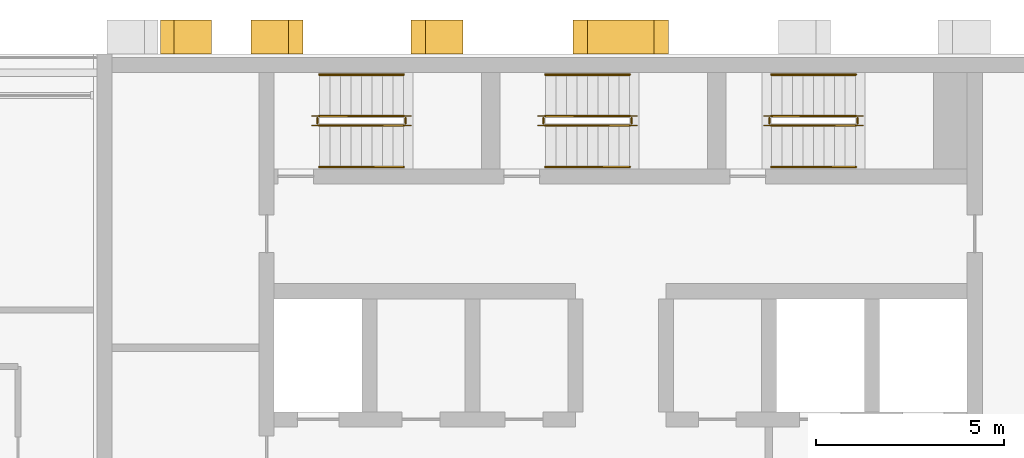
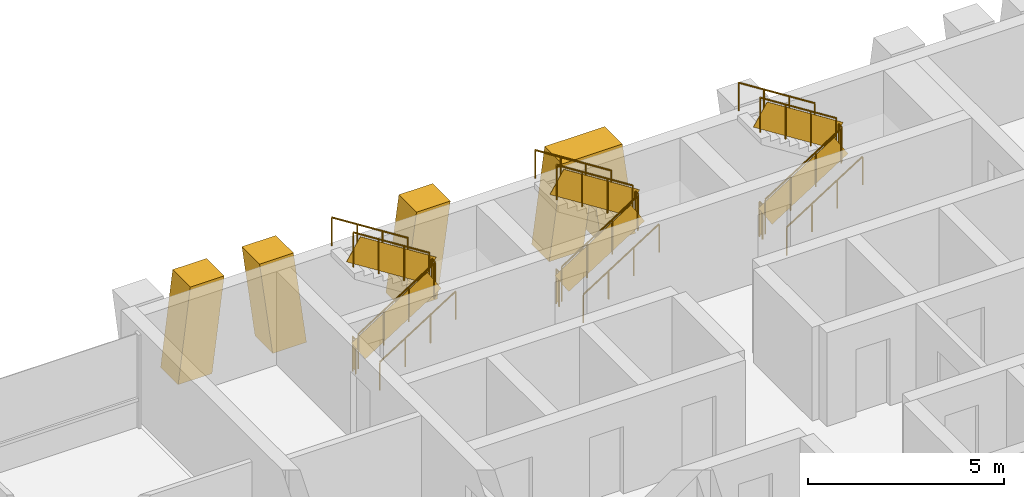
# One storey, part 15 of 16: 18 railings, 4 shading devices.
"""IFC4 building model written with IfcOpenShell, lengths in metres."""

from ifc_helpers import new_model, si_unit, direction, frame, origin, origin_2d, place, context, subcontext, project, spatial, polyline, rectangle, circle, outline, extrude, material, layer, layer_set, type_object, element, save


model = new_model("IFC4")

# Units and contexts
model_context = context("Model", 3, precision=1e-05, world=origin(), true_north=direction((0.0, 1.0)))
body_context = subcontext(model_context, "Body", "Model", "MODEL_VIEW")
ifc_project = project(units=[si_unit("LENGTHUNIT", "METRE"), si_unit("AREAUNIT", "SQUARE_METRE"), si_unit("VOLUMEUNIT", "CUBIC_METRE"), si_unit("PLANEANGLEUNIT", "RADIAN"), si_unit("MASSUNIT", "GRAM", prefix="KILO")], contexts=[model_context])

# Site, building, storey
site_placement = place(None, origin())
site = spatial("IfcSite", under=ifc_project, at=site_placement, CompositionType="ELEMENT")
building_placement = place(site_placement, origin())
building = spatial("IfcBuilding", under=site, at=building_placement, Name="Vidyagriha Tower", CompositionType="ELEMENT")
storey_placement = place(building_placement, frame((0.0, 0.0, 181.300048828125)))
storey = spatial("IfcBuildingStorey", under=building, at=storey_placement, Name="L47", CompositionType="ELEMENT", Elevation=181.300048828125)

# Shading devices
ifc_material_1 = material(Name="Precast concrete C40/50 with brick facing", Category="concrete")
ifc_layer_1 = layer(ifc_material_1, 1.0)
ifc_layer_set_1 = layer_set([ifc_layer_1], Name="Precast concrete C40/50 with brick facing")
shading_device_type_1 = type_object("IfcShadingDeviceType", Name="Brick-faced rear rib arm leaning 8 degrees", PredefinedType="USERDEFINED", material=ifc_layer_set_1)
shading_device_1_placement = place(storey_placement, frame((-8.4287109375, 20.449951171875, 0.0), z_axis=(0.0, 0.0, 1.0), x_axis=(-1.0, 0.0, 0.0)))
element("IfcShadingDevice", 1, at=shading_device_1_placement, inside=storey, type_object=shading_device_type_1, Name="Rear rib arm L47 R08.4a", ObjectType="BLADE FIN", PredefinedType="USERDEFINED", context=body_context, shape_type="SweptSolid", body=[
    extrude(outline(polyline([(0.0, 0.0), (1.0, 0.0), (1.3857421875, 2.919921875), (0.3857421875, 2.919921875), (0.0, 0.0)])), frame((0.0, 0.449951171875, 0.0), z_axis=(0.0, -1.0, 0.0), x_axis=(1.0, 0.0, 0.0)), (0.0, 0.0, 1.0), 0.89990234375),
])
shading_device_2_placement = place(storey_placement, frame((-4.185791015625, 20.449951171875, 0.0), z_axis=(0.0, 0.0, 1.0), x_axis=(-1.0, 0.0, 0.0)))
element("IfcShadingDevice", 2, at=shading_device_2_placement, inside=storey, type_object=shading_device_type_1, Name="Rear rib arm L47 R08.4b", ObjectType="BLADE FIN", PredefinedType="USERDEFINED", context=body_context, shape_type="SweptSolid", body=[
    extrude(outline(polyline([(0.3857421875, 0.0), (1.3857421875, 0.0), (1.0, 2.919921875), (0.0, 2.919921875), (0.3857421875, 0.0)])), frame((0.0, 0.449951171875, 0.0), z_axis=(0.0, -1.0, 0.0), x_axis=(1.0, 0.0, 0.0)), (0.0, 0.0, 1.0), 0.89990234375),
])
shading_device_3_placement = place(storey_placement, frame((-10.857177734375, 20.449951171875, 0.0), z_axis=(0.0, 0.0, 1.0), x_axis=(-1.0, 0.0, 0.0)))
element("IfcShadingDevice", 3, at=shading_device_3_placement, inside=storey, type_object=shading_device_type_1, Name="Rear rib arm L47 R08.5b", ObjectType="BLADE FIN", PredefinedType="USERDEFINED", context=body_context, shape_type="SweptSolid", body=[
    extrude(outline(polyline([(0.357177734375, 0.0), (1.357177734375, 0.0), (1.0, 2.919921875), (0.0, 2.919921875), (0.357177734375, 0.0)])), frame((0.0, 0.449951171875, 0.0), z_axis=(0.0, -1.0, 0.0), x_axis=(1.0, 0.0, 0.0)), (0.0, 0.0, 1.0), 0.89990234375),
])
ifc_material_2 = material(Name="Precast concrete C40/50 with brick facing", Category="concrete")
ifc_layer_2 = layer(ifc_material_2, 1.0)
ifc_layer_set_2 = layer_set([ifc_layer_2], Name="Precast concrete C40/50 with brick facing")
shading_device_type_2 = type_object("IfcShadingDeviceType", Name="Brick-faced rear rib forking 8 degrees", PredefinedType="USERDEFINED", material=ifc_layer_set_2)
shading_device_4_placement = place(storey_placement, frame((1.271484375, 20.449951171875, 0.0), z_axis=(0.0, 0.0, 1.0), x_axis=(-1.0, 0.0, 0.0)))
element("IfcShadingDevice", 4, at=shading_device_4_placement, inside=storey, type_object=shading_device_type_2, Name="Rear rib fork L47 R08.3a", ObjectType="BLADE FIN", PredefinedType="USERDEFINED", context=body_context, shape_type="SweptSolid", body=[
    extrude(outline(polyline([(1.0, 0.0), (1.271484375, 2.0546875), (1.542724609375, 0.0), (2.542724609375, 0.0), (2.156982421875, 2.919921875), (0.3857421875, 2.919921875), (0.0, 0.0), (1.0, 0.0)])), frame((0.0, 0.449951171875, 0.0), z_axis=(0.0, -1.0, 0.0), x_axis=(1.0, 0.0, 0.0)), (0.0, 0.0, 1.0), 0.89990234375),
])

# Railings
ifc_material_3 = material(Name="Steel ASTM A500 Grade C", Category="steel")
railing_type_1 = type_object("IfcRailingType", Name="Stair guard 1100 mm, steel balustrade", PredefinedType="GUARDRAIL", material=ifc_material_3)
railing_1_placement = place(storey_placement, frame((-8.0, 18.10009765625, 0.177734375)))
element("IfcRailing", 5, at=railing_1_placement, inside=storey, type_object=railing_type_1, Name="L47 ST1 stair guard 1", PredefinedType="GUARDRAIL", context=body_context, shape_type="SweptSolid", body=[
    extrude(circle(Radius=0.02392578125, at=origin_2d()), frame((0.0, 0.0, 1.076171875), z_axis=(0.8442293374, 0.0, 0.53598211339), x_axis=(0.0, 1.0, 0.0)), (0.0, 0.0, 1.0), 2.6533203125),
    extrude(circle(Radius=0.02099609375, at=origin_2d()), origin(), (0.0, 0.0, 1.0), 1.052001953125),
    extrude(circle(Radius=0.02099609375, at=origin_2d()), frame((0.74658203125, 0.0, 0.47412109375)), (0.0, 0.0, 1.0), 1.052001953125),
    extrude(circle(Radius=0.02099609375, at=origin_2d()), frame((1.493408203125, 0.0, 0.947998046875)), (0.0, 0.0, 1.0), 1.052001953125),
    extrude(circle(Radius=0.02099609375, at=origin_2d()), frame((2.239990234375, 0.0, 1.422119140625)), (0.0, 0.0, 1.0), 1.052001953125),
    extrude(rectangle(XDim=0.010009765625, YDim=0.761474609375, at=origin_2d()), frame((0.0, 0.0, 0.551025390625), z_axis=(0.8442293374, 0.0, 0.53598211339), x_axis=(0.0, 1.0, 0.0)), (0.0, 0.0, 1.0), 2.6533203125),
])
railing_2_placement = place(storey_placement, frame((-5.7099609375, 18.14990234375, 1.599853515625)))
element("IfcRailing", 6, at=railing_2_placement, inside=storey, type_object=railing_type_1, Name="L47 ST1 stair guard 2", PredefinedType="GUARDRAIL", context=body_context, shape_type="SweptSolid", body=[
    extrude(circle(Radius=0.02392578125, at=origin_2d()), frame((0.0, 0.0, 1.076171875), z_axis=(0.0, 1.0, 0.0), x_axis=(-1.0, 0.0, 0.0)), (0.0, 0.0, 1.0), 0.150146484375),
    extrude(circle(Radius=0.02099609375, at=origin_2d()), origin(), (0.0, 0.0, 1.0), 1.052001953125),
    extrude(circle(Radius=0.02099609375, at=origin_2d()), frame((0.0, 0.150146484375, 0.0)), (0.0, 0.0, 1.0), 1.052001953125),
    extrude(rectangle(XDim=0.010009765625, YDim=0.902099609375, at=origin_2d()), frame((0.0, 0.0, 0.551025390625), z_axis=(0.0, 1.0, 0.0), x_axis=(-1.0, 0.0, 0.0)), (0.0, 0.0, 1.0), 0.150146484375),
])
railing_3_placement = place(storey_placement, frame((-5.760009765625, 18.35009765625, 1.77783203125)))
element("IfcRailing", 7, at=railing_3_placement, inside=storey, type_object=railing_type_1, Name="L47 ST1 stair guard 3", PredefinedType="GUARDRAIL", context=body_context, shape_type="SweptSolid", body=[
    extrude(circle(Radius=0.02392578125, at=origin_2d()), frame((0.0, 0.0, 1.076171875), z_axis=(-0.8442293374, 0.0, 0.53598211339), x_axis=(0.0, -1.0, 0.0)), (0.0, 0.0, 1.0), 2.6533203125),
    extrude(circle(Radius=0.02099609375, at=origin_2d()), origin(), (0.0, 0.0, 1.0), 1.052001953125),
    extrude(circle(Radius=0.02099609375, at=origin_2d()), frame((-0.74658203125, 0.0, 0.47412109375)), (0.0, 0.0, 1.0), 1.052001953125),
    extrude(circle(Radius=0.02099609375, at=origin_2d()), frame((-1.493408203125, 0.0, 0.947998046875)), (0.0, 0.0, 1.0), 1.052001953125),
    extrude(circle(Radius=0.02099609375, at=origin_2d()), frame((-2.239990234375, 0.0, 1.422119140625)), (0.0, 0.0, 1.0), 1.052001953125),
    extrude(rectangle(XDim=0.010009765625, YDim=0.761474609375, at=origin_2d()), frame((0.0, 0.0, 0.551025390625), z_axis=(-0.8442293374, 0.0, 0.53598211339), x_axis=(0.0, -1.0, 0.0)), (0.0, 0.0, 1.0), 2.6533203125),
])
railing_4_placement = place(storey_placement, frame((-8.050048828125, 18.14990234375, 0.0)))
element("IfcRailing", 8, at=railing_4_placement, inside=storey, type_object=railing_type_1, Name="L47 ST1 stair guard 4", PredefinedType="GUARDRAIL", context=body_context, shape_type="SweptSolid", body=[
    extrude(circle(Radius=0.02392578125, at=origin_2d()), frame((0.0, 0.0, 1.076171875), z_axis=(0.0, 1.0, 0.0), x_axis=(-1.0, 0.0, 0.0)), (0.0, 0.0, 1.0), 0.150146484375),
    extrude(circle(Radius=0.02099609375, at=origin_2d()), origin(), (0.0, 0.0, 1.0), 1.052001953125),
    extrude(circle(Radius=0.02099609375, at=origin_2d()), frame((0.0, 0.150146484375, 0.0)), (0.0, 0.0, 1.0), 1.052001953125),
    extrude(rectangle(XDim=0.010009765625, YDim=0.902099609375, at=origin_2d()), frame((0.0, 0.0, 0.551025390625), z_axis=(0.0, 1.0, 0.0), x_axis=(-1.0, 0.0, 0.0)), (0.0, 0.0, 1.0), 0.150146484375),
])
railing_5_placement = place(storey_placement, frame((-2.0, 18.10009765625, 0.177734375)))
element("IfcRailing", 9, at=railing_5_placement, inside=storey, type_object=railing_type_1, Name="L47 ST2 stair guard 1", PredefinedType="GUARDRAIL", context=body_context, shape_type="SweptSolid", body=[
    extrude(circle(Radius=0.02392578125, at=origin_2d()), frame((0.0, 0.0, 1.076171875), z_axis=(0.8442293374, 0.0, 0.53598211339), x_axis=(0.0, 1.0, 0.0)), (0.0, 0.0, 1.0), 2.6533203125),
    extrude(circle(Radius=0.02099609375, at=origin_2d()), origin(), (0.0, 0.0, 1.0), 1.052001953125),
    extrude(circle(Radius=0.02099609375, at=origin_2d()), frame((0.74658203125, 0.0, 0.47412109375)), (0.0, 0.0, 1.0), 1.052001953125),
    extrude(circle(Radius=0.02099609375, at=origin_2d()), frame((1.493408203125, 0.0, 0.947998046875)), (0.0, 0.0, 1.0), 1.052001953125),
    extrude(circle(Radius=0.02099609375, at=origin_2d()), frame((2.239990234375, 0.0, 1.422119140625)), (0.0, 0.0, 1.0), 1.052001953125),
    extrude(rectangle(XDim=0.010009765625, YDim=0.761474609375, at=origin_2d()), frame((0.0, 0.0, 0.551025390625), z_axis=(0.8442293374, 0.0, 0.53598211339), x_axis=(0.0, 1.0, 0.0)), (0.0, 0.0, 1.0), 2.6533203125),
])
railing_6_placement = place(storey_placement, frame((0.2900390625, 18.14990234375, 1.599853515625)))
element("IfcRailing", 10, at=railing_6_placement, inside=storey, type_object=railing_type_1, Name="L47 ST2 stair guard 2", PredefinedType="GUARDRAIL", context=body_context, shape_type="SweptSolid", body=[
    extrude(circle(Radius=0.02392578125, at=origin_2d()), frame((0.0, 0.0, 1.076171875), z_axis=(0.0, 1.0, 0.0), x_axis=(-1.0, 0.0, 0.0)), (0.0, 0.0, 1.0), 0.150146484375),
    extrude(circle(Radius=0.02099609375, at=origin_2d()), origin(), (0.0, 0.0, 1.0), 1.052001953125),
    extrude(circle(Radius=0.02099609375, at=origin_2d()), frame((0.0, 0.150146484375, 0.0)), (0.0, 0.0, 1.0), 1.052001953125),
    extrude(rectangle(XDim=0.010009765625, YDim=0.902099609375, at=origin_2d()), frame((0.0, 0.0, 0.551025390625), z_axis=(0.0, 1.0, 0.0), x_axis=(-1.0, 0.0, 0.0)), (0.0, 0.0, 1.0), 0.150146484375),
])
railing_7_placement = place(storey_placement, frame((0.239990234375, 18.35009765625, 1.77783203125)))
element("IfcRailing", 11, at=railing_7_placement, inside=storey, type_object=railing_type_1, Name="L47 ST2 stair guard 3", PredefinedType="GUARDRAIL", context=body_context, shape_type="SweptSolid", body=[
    extrude(circle(Radius=0.02392578125, at=origin_2d()), frame((0.0, 0.0, 1.076171875), z_axis=(-0.8442293374, 0.0, 0.53598211339), x_axis=(0.0, -1.0, 0.0)), (0.0, 0.0, 1.0), 2.6533203125),
    extrude(circle(Radius=0.02099609375, at=origin_2d()), origin(), (0.0, 0.0, 1.0), 1.052001953125),
    extrude(circle(Radius=0.02099609375, at=origin_2d()), frame((-0.74658203125, 0.0, 0.47412109375)), (0.0, 0.0, 1.0), 1.052001953125),
    extrude(circle(Radius=0.02099609375, at=origin_2d()), frame((-1.493408203125, 0.0, 0.947998046875)), (0.0, 0.0, 1.0), 1.052001953125),
    extrude(circle(Radius=0.02099609375, at=origin_2d()), frame((-2.239990234375, 0.0, 1.422119140625)), (0.0, 0.0, 1.0), 1.052001953125),
    extrude(rectangle(XDim=0.010009765625, YDim=0.761474609375, at=origin_2d()), frame((0.0, 0.0, 0.551025390625), z_axis=(-0.8442293374, 0.0, 0.53598211339), x_axis=(0.0, -1.0, 0.0)), (0.0, 0.0, 1.0), 2.6533203125),
])
railing_8_placement = place(storey_placement, frame((-2.050048828125, 18.14990234375, 0.0)))
element("IfcRailing", 12, at=railing_8_placement, inside=storey, type_object=railing_type_1, Name="L47 ST2 stair guard 4", PredefinedType="GUARDRAIL", context=body_context, shape_type="SweptSolid", body=[
    extrude(circle(Radius=0.02392578125, at=origin_2d()), frame((0.0, 0.0, 1.076171875), z_axis=(0.0, 1.0, 0.0), x_axis=(-1.0, 0.0, 0.0)), (0.0, 0.0, 1.0), 0.150146484375),
    extrude(circle(Radius=0.02099609375, at=origin_2d()), origin(), (0.0, 0.0, 1.0), 1.052001953125),
    extrude(circle(Radius=0.02099609375, at=origin_2d()), frame((0.0, 0.150146484375, 0.0)), (0.0, 0.0, 1.0), 1.052001953125),
    extrude(rectangle(XDim=0.010009765625, YDim=0.902099609375, at=origin_2d()), frame((0.0, 0.0, 0.551025390625), z_axis=(0.0, 1.0, 0.0), x_axis=(-1.0, 0.0, 0.0)), (0.0, 0.0, 1.0), 0.150146484375),
])
railing_9_placement = place(storey_placement, frame((4.0, 18.10009765625, 0.177734375)))
element("IfcRailing", 13, at=railing_9_placement, inside=storey, type_object=railing_type_1, Name="L47 ST3 stair guard 1", PredefinedType="GUARDRAIL", context=body_context, shape_type="SweptSolid", body=[
    extrude(circle(Radius=0.02392578125, at=origin_2d()), frame((0.0, 0.0, 1.076171875), z_axis=(0.8442293374, 0.0, 0.53598211339), x_axis=(0.0, 1.0, 0.0)), (0.0, 0.0, 1.0), 2.6533203125),
    extrude(circle(Radius=0.02099609375, at=origin_2d()), origin(), (0.0, 0.0, 1.0), 1.052001953125),
    extrude(circle(Radius=0.02099609375, at=origin_2d()), frame((0.74658203125, 0.0, 0.47412109375)), (0.0, 0.0, 1.0), 1.052001953125),
    extrude(circle(Radius=0.02099609375, at=origin_2d()), frame((1.493408203125, 0.0, 0.947998046875)), (0.0, 0.0, 1.0), 1.052001953125),
    extrude(circle(Radius=0.02099609375, at=origin_2d()), frame((2.239990234375, 0.0, 1.422119140625)), (0.0, 0.0, 1.0), 1.052001953125),
    extrude(rectangle(XDim=0.010009765625, YDim=0.761474609375, at=origin_2d()), frame((0.0, 0.0, 0.551025390625), z_axis=(0.8442293374, 0.0, 0.53598211339), x_axis=(0.0, 1.0, 0.0)), (0.0, 0.0, 1.0), 2.6533203125),
])
railing_10_placement = place(storey_placement, frame((6.2900390625, 18.14990234375, 1.599853515625)))
element("IfcRailing", 14, at=railing_10_placement, inside=storey, type_object=railing_type_1, Name="L47 ST3 stair guard 2", PredefinedType="GUARDRAIL", context=body_context, shape_type="SweptSolid", body=[
    extrude(circle(Radius=0.02392578125, at=origin_2d()), frame((0.0, 0.0, 1.076171875), z_axis=(0.0, 1.0, 0.0), x_axis=(-1.0, 0.0, 0.0)), (0.0, 0.0, 1.0), 0.150146484375),
    extrude(circle(Radius=0.02099609375, at=origin_2d()), origin(), (0.0, 0.0, 1.0), 1.052001953125),
    extrude(circle(Radius=0.02099609375, at=origin_2d()), frame((0.0, 0.150146484375, 0.0)), (0.0, 0.0, 1.0), 1.052001953125),
    extrude(rectangle(XDim=0.010009765625, YDim=0.902099609375, at=origin_2d()), frame((0.0, 0.0, 0.551025390625), z_axis=(0.0, 1.0, 0.0), x_axis=(-1.0, 0.0, 0.0)), (0.0, 0.0, 1.0), 0.150146484375),
])
railing_11_placement = place(storey_placement, frame((6.239990234375, 18.35009765625, 1.77783203125)))
element("IfcRailing", 15, at=railing_11_placement, inside=storey, type_object=railing_type_1, Name="L47 ST3 stair guard 3", PredefinedType="GUARDRAIL", context=body_context, shape_type="SweptSolid", body=[
    extrude(circle(Radius=0.02392578125, at=origin_2d()), frame((0.0, 0.0, 1.076171875), z_axis=(-0.8442293374, 0.0, 0.53598211339), x_axis=(0.0, -1.0, 0.0)), (0.0, 0.0, 1.0), 2.6533203125),
    extrude(circle(Radius=0.02099609375, at=origin_2d()), origin(), (0.0, 0.0, 1.0), 1.052001953125),
    extrude(circle(Radius=0.02099609375, at=origin_2d()), frame((-0.74658203125, 0.0, 0.47412109375)), (0.0, 0.0, 1.0), 1.052001953125),
    extrude(circle(Radius=0.02099609375, at=origin_2d()), frame((-1.493408203125, 0.0, 0.947998046875)), (0.0, 0.0, 1.0), 1.052001953125),
    extrude(circle(Radius=0.02099609375, at=origin_2d()), frame((-2.239990234375, 0.0, 1.422119140625)), (0.0, 0.0, 1.0), 1.052001953125),
    extrude(rectangle(XDim=0.010009765625, YDim=0.761474609375, at=origin_2d()), frame((0.0, 0.0, 0.551025390625), z_axis=(-0.8442293374, 0.0, 0.53598211339), x_axis=(0.0, -1.0, 0.0)), (0.0, 0.0, 1.0), 2.6533203125),
])
railing_12_placement = place(storey_placement, frame((3.949951171875, 18.14990234375, 0.0)))
element("IfcRailing", 16, at=railing_12_placement, inside=storey, type_object=railing_type_1, Name="L47 ST3 stair guard 4", PredefinedType="GUARDRAIL", context=body_context, shape_type="SweptSolid", body=[
    extrude(circle(Radius=0.02392578125, at=origin_2d()), frame((0.0, 0.0, 1.076171875), z_axis=(0.0, 1.0, 0.0), x_axis=(-1.0, 0.0, 0.0)), (0.0, 0.0, 1.0), 0.150146484375),
    extrude(circle(Radius=0.02099609375, at=origin_2d()), origin(), (0.0, 0.0, 1.0), 1.052001953125),
    extrude(circle(Radius=0.02099609375, at=origin_2d()), frame((0.0, 0.150146484375, 0.0)), (0.0, 0.0, 1.0), 1.052001953125),
    extrude(rectangle(XDim=0.010009765625, YDim=0.902099609375, at=origin_2d()), frame((0.0, 0.0, 0.551025390625), z_axis=(0.0, 1.0, 0.0), x_axis=(-1.0, 0.0, 0.0)), (0.0, 0.0, 1.0), 0.150146484375),
])
ifc_material_4 = material(Name="Steel ASTM A500 Grade C", Category="steel")
railing_type_2 = type_object("IfcRailingType", Name="Stair handrail 900 mm, steel", PredefinedType="HANDRAIL", material=ifc_material_4)
railing_13_placement = place(storey_placement, frame((-8.0, 17.0, 0.177734375)))
element("IfcRailing", 17, at=railing_13_placement, inside=storey, type_object=railing_type_2, Name="L47 ST1 stair handrail 1", PredefinedType="HANDRAIL", context=body_context, shape_type="SweptSolid", body=[
    extrude(circle(Radius=0.02392578125, at=origin_2d()), frame((0.0, 0.0, 0.8759765625), z_axis=(0.8442293374, 0.0, 0.53598211339), x_axis=(0.0, 1.0, 0.0)), (0.0, 0.0, 1.0), 2.6533203125),
    extrude(circle(Radius=0.02099609375, at=origin_2d()), origin(), (0.0, 0.0, 1.0), 0.851806640625),
    extrude(circle(Radius=0.02099609375, at=origin_2d()), frame((0.74658203125, 0.0, 0.47412109375)), (0.0, 0.0, 1.0), 0.851806640625),
    extrude(circle(Radius=0.02099609375, at=origin_2d()), frame((1.493408203125, 0.0, 0.947998046875)), (0.0, 0.0, 1.0), 0.851806640625),
    extrude(circle(Radius=0.02099609375, at=origin_2d()), frame((2.239990234375, 0.0, 1.422119140625)), (0.0, 0.0, 1.0), 0.851806640625),
])
railing_14_placement = place(storey_placement, frame((-5.760009765625, 19.449951171875, 1.77783203125)))
element("IfcRailing", 18, at=railing_14_placement, inside=storey, type_object=railing_type_2, Name="L47 ST1 stair handrail 2", PredefinedType="HANDRAIL", context=body_context, shape_type="SweptSolid", body=[
    extrude(circle(Radius=0.02392578125, at=origin_2d()), frame((0.0, 0.0, 0.8759765625), z_axis=(-0.8442293374, 0.0, 0.53598211339), x_axis=(0.0, -1.0, 0.0)), (0.0, 0.0, 1.0), 2.6533203125),
    extrude(circle(Radius=0.02099609375, at=origin_2d()), origin(), (0.0, 0.0, 1.0), 0.851806640625),
    extrude(circle(Radius=0.02099609375, at=origin_2d()), frame((-0.74658203125, 0.0, 0.47412109375)), (0.0, 0.0, 1.0), 0.851806640625),
    extrude(circle(Radius=0.02099609375, at=origin_2d()), frame((-1.493408203125, 0.0, 0.947998046875)), (0.0, 0.0, 1.0), 0.851806640625),
    extrude(circle(Radius=0.02099609375, at=origin_2d()), frame((-2.239990234375, 0.0, 1.422119140625)), (0.0, 0.0, 1.0), 0.851806640625),
])
railing_15_placement = place(storey_placement, frame((-2.0, 17.0, 0.177734375)))
element("IfcRailing", 19, at=railing_15_placement, inside=storey, type_object=railing_type_2, Name="L47 ST2 stair handrail 1", PredefinedType="HANDRAIL", context=body_context, shape_type="SweptSolid", body=[
    extrude(circle(Radius=0.02392578125, at=origin_2d()), frame((0.0, 0.0, 0.8759765625), z_axis=(0.8442293374, 0.0, 0.53598211339), x_axis=(0.0, 1.0, 0.0)), (0.0, 0.0, 1.0), 2.6533203125),
    extrude(circle(Radius=0.02099609375, at=origin_2d()), origin(), (0.0, 0.0, 1.0), 0.851806640625),
    extrude(circle(Radius=0.02099609375, at=origin_2d()), frame((0.74658203125, 0.0, 0.47412109375)), (0.0, 0.0, 1.0), 0.851806640625),
    extrude(circle(Radius=0.02099609375, at=origin_2d()), frame((1.493408203125, 0.0, 0.947998046875)), (0.0, 0.0, 1.0), 0.851806640625),
    extrude(circle(Radius=0.02099609375, at=origin_2d()), frame((2.239990234375, 0.0, 1.422119140625)), (0.0, 0.0, 1.0), 0.851806640625),
])
railing_16_placement = place(storey_placement, frame((0.239990234375, 19.449951171875, 1.77783203125)))
element("IfcRailing", 20, at=railing_16_placement, inside=storey, type_object=railing_type_2, Name="L47 ST2 stair handrail 2", PredefinedType="HANDRAIL", context=body_context, shape_type="SweptSolid", body=[
    extrude(circle(Radius=0.02392578125, at=origin_2d()), frame((0.0, 0.0, 0.8759765625), z_axis=(-0.8442293374, 0.0, 0.53598211339), x_axis=(0.0, -1.0, 0.0)), (0.0, 0.0, 1.0), 2.6533203125),
    extrude(circle(Radius=0.02099609375, at=origin_2d()), origin(), (0.0, 0.0, 1.0), 0.851806640625),
    extrude(circle(Radius=0.02099609375, at=origin_2d()), frame((-0.74658203125, 0.0, 0.47412109375)), (0.0, 0.0, 1.0), 0.851806640625),
    extrude(circle(Radius=0.02099609375, at=origin_2d()), frame((-1.493408203125, 0.0, 0.947998046875)), (0.0, 0.0, 1.0), 0.851806640625),
    extrude(circle(Radius=0.02099609375, at=origin_2d()), frame((-2.239990234375, 0.0, 1.422119140625)), (0.0, 0.0, 1.0), 0.851806640625),
])
railing_17_placement = place(storey_placement, frame((4.0, 17.0, 0.177734375)))
element("IfcRailing", 21, at=railing_17_placement, inside=storey, type_object=railing_type_2, Name="L47 ST3 stair handrail 1", PredefinedType="HANDRAIL", context=body_context, shape_type="SweptSolid", body=[
    extrude(circle(Radius=0.02392578125, at=origin_2d()), frame((0.0, 0.0, 0.8759765625), z_axis=(0.8442293374, 0.0, 0.53598211339), x_axis=(0.0, 1.0, 0.0)), (0.0, 0.0, 1.0), 2.6533203125),
    extrude(circle(Radius=0.02099609375, at=origin_2d()), origin(), (0.0, 0.0, 1.0), 0.851806640625),
    extrude(circle(Radius=0.02099609375, at=origin_2d()), frame((0.74658203125, 0.0, 0.47412109375)), (0.0, 0.0, 1.0), 0.851806640625),
    extrude(circle(Radius=0.02099609375, at=origin_2d()), frame((1.493408203125, 0.0, 0.947998046875)), (0.0, 0.0, 1.0), 0.851806640625),
    extrude(circle(Radius=0.02099609375, at=origin_2d()), frame((2.239990234375, 0.0, 1.422119140625)), (0.0, 0.0, 1.0), 0.851806640625),
])
railing_18_placement = place(storey_placement, frame((6.239990234375, 19.449951171875, 1.77783203125)))
element("IfcRailing", 22, at=railing_18_placement, inside=storey, type_object=railing_type_2, Name="L47 ST3 stair handrail 2", PredefinedType="HANDRAIL", context=body_context, shape_type="SweptSolid", body=[
    extrude(circle(Radius=0.02392578125, at=origin_2d()), frame((0.0, 0.0, 0.8759765625), z_axis=(-0.8442293374, 0.0, 0.53598211339), x_axis=(0.0, -1.0, 0.0)), (0.0, 0.0, 1.0), 2.6533203125),
    extrude(circle(Radius=0.02099609375, at=origin_2d()), origin(), (0.0, 0.0, 1.0), 0.851806640625),
    extrude(circle(Radius=0.02099609375, at=origin_2d()), frame((-0.74658203125, 0.0, 0.47412109375)), (0.0, 0.0, 1.0), 0.851806640625),
    extrude(circle(Radius=0.02099609375, at=origin_2d()), frame((-1.493408203125, 0.0, 0.947998046875)), (0.0, 0.0, 1.0), 0.851806640625),
    extrude(circle(Radius=0.02099609375, at=origin_2d()), frame((-2.239990234375, 0.0, 1.422119140625)), (0.0, 0.0, 1.0), 0.851806640625),
])

save(model, "model.ifc")
